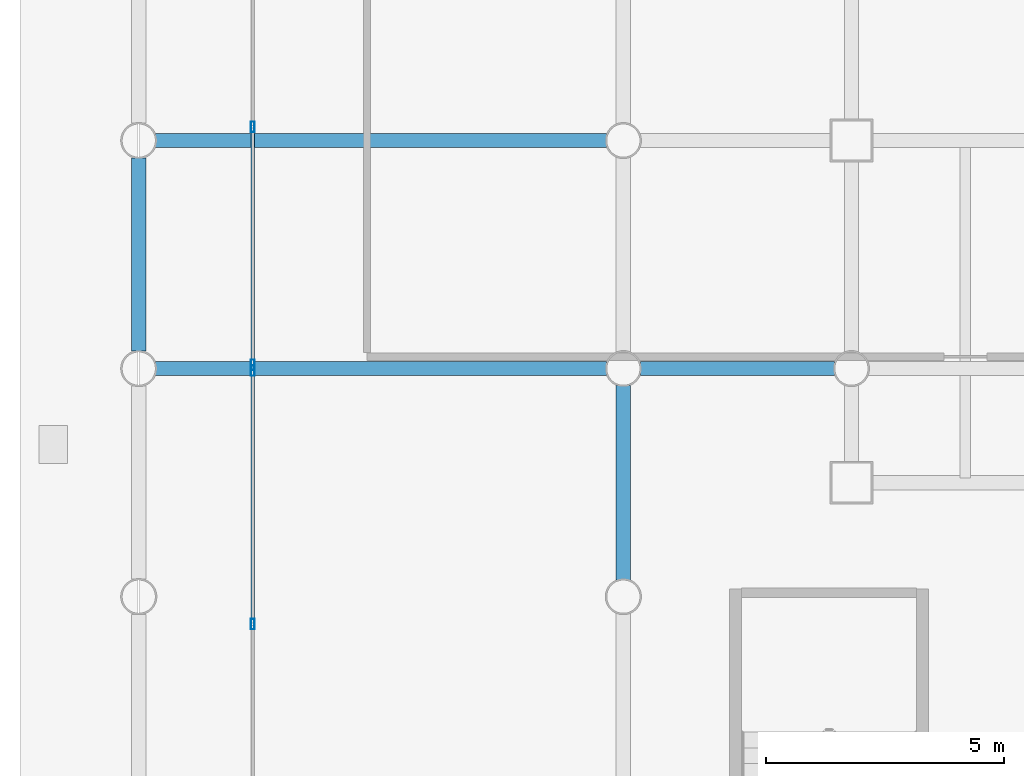
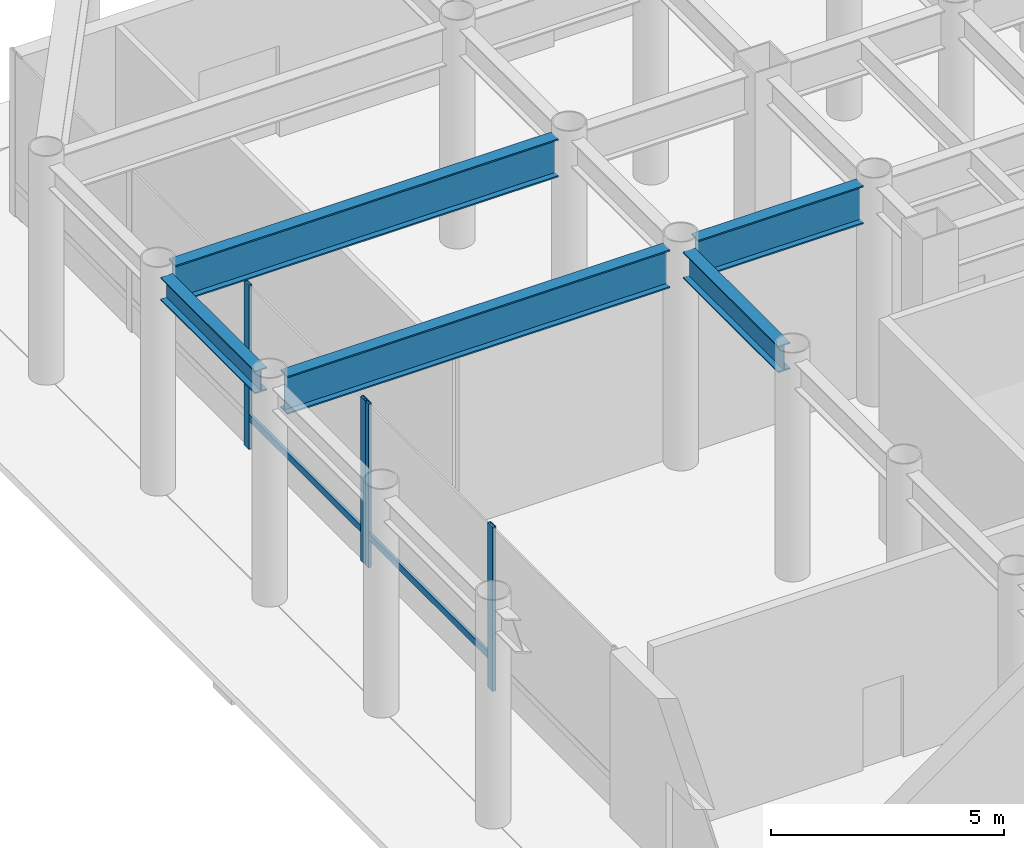
# One storey, part 9 of 23: 6 members, 5 beams, 2 elements without a shape of their own.
"""IFC4 building model written with IfcOpenShell, lengths in metres."""

from ifc_helpers import new_model, si_unit, direction, frame, origin, origin_2d, place, context, subcontext, project, spatial, hollow_rectangle, i_section, extrude, material, layer, layer_set, material_profile, profile_set, type_object, element, aggregate, save


model = new_model("IFC4")

# Units and contexts
model_context = context("Model", 3, precision=1e-05, world=origin(), true_north=direction((0.0, 1.0)))
body_context = subcontext(model_context, "Body", "Model", "MODEL_VIEW")
ifc_project = project(units=[si_unit("LENGTHUNIT", "METRE"), si_unit("AREAUNIT", "SQUARE_METRE"), si_unit("VOLUMEUNIT", "CUBIC_METRE"), si_unit("PLANEANGLEUNIT", "RADIAN"), si_unit("MASSUNIT", "GRAM", prefix="KILO")], contexts=[model_context])

# Site, building, storey
site_placement = place(None, origin())
site = spatial("IfcSite", under=ifc_project, at=site_placement, CompositionType="ELEMENT")
building_placement = place(site_placement, origin())
building = spatial("IfcBuilding", under=site, at=building_placement, Name="Kallvorn Hotel Tower", CompositionType="ELEMENT")
storey_placement = place(building_placement, origin())
storey = spatial("IfcBuildingStorey", under=building, at=storey_placement, Name="L00", CompositionType="ELEMENT", Elevation=0.0)

# Beams
ifc_material_1 = material(Name="Structural steel S355JR", Category="steel")
ifc_material_profile_1 = material_profile(ifc_material_1, i_section(OverallWidth=0.300048828125, OverallDepth=1.0, WebThickness=0.01904296875, FlangeThickness=0.035888671875, at=origin_2d()), Name="HE 1000 B")
ifc_profile_set_1 = profile_set([ifc_material_profile_1], Name="Structural steel S355JR")
beam_type_1 = type_object("IfcBeamType", Name="BM_HE1000B", PredefinedType="BEAM", material=ifc_profile_set_1)
beam_1_placement = place(storey_placement, frame((-38.64404296875, 9.60009765625, 5.25), z_axis=(1.0, 0.0, 0.0), x_axis=(0.0, 1.0, 0.0)))
element("IfcBeam", 1, at=beam_1_placement, inside=storey, type_object=beam_type_1, Name="L01 Primary X-Girder 45", PredefinedType="BEAM", context=body_context, shape_type="SweptSolid", body=[
    extrude(i_section(OverallWidth=0.300048828125, OverallDepth=1.0, WebThickness=0.01904296875, FlangeThickness=0.035888671875, at=origin_2d()), origin(), (0.0, 0.0, 1.0), 9.488037109375),
])
beam_2_placement = place(storey_placement, frame((-28.444091796875, 9.60009765625, 5.25), z_axis=(1.0, 0.0, 0.0), x_axis=(0.0, 1.0, 0.0)))
element("IfcBeam", 2, at=beam_2_placement, inside=storey, type_object=beam_type_1, Name="L01 Primary X-Girder 46", PredefinedType="BEAM", context=body_context, shape_type="SweptSolid", body=[
    extrude(i_section(OverallWidth=0.300048828125, OverallDepth=1.0, WebThickness=0.01904296875, FlangeThickness=0.035888671875, at=origin_2d()), origin(), (0.0, 0.0, 1.0), 4.088134765625),
])
beam_3_placement = place(storey_placement, frame((-38.64404296875, 14.39990234375, 5.25), z_axis=(1.0, 0.0, 0.0), x_axis=(0.0, 1.0, 0.0)))
element("IfcBeam", 3, at=beam_3_placement, inside=storey, type_object=beam_type_1, Name="L01 Primary X-Girder 55", PredefinedType="BEAM", context=body_context, shape_type="SweptSolid", body=[
    extrude(i_section(OverallWidth=0.300048828125, OverallDepth=1.0, WebThickness=0.01904296875, FlangeThickness=0.035888671875, at=origin_2d()), origin(), (0.0, 0.0, 1.0), 9.488037109375),
])
ifc_material_2 = material(Name="Structural steel S355JR", Category="steel")
ifc_material_profile_2 = material_profile(ifc_material_2, i_section(OverallWidth=0.300048828125, OverallDepth=0.60009765625, WebThickness=0.015380859375, FlangeThickness=0.030029296875, at=origin_2d()), Name="HE 600 B")
ifc_profile_set_2 = profile_set([ifc_material_profile_2], Name="Structural steel S355JR")
beam_type_2 = type_object("IfcBeamType", Name="BM_HE600B", PredefinedType="SPANDREL", material=ifc_profile_set_2)
beam_4_placement = place(storey_placement, frame((-39.0, 9.970947265625, 5.449951171875), z_axis=(0.0, 1.0, 0.0), x_axis=(-1.0, 0.0, 0.0)))
element("IfcBeam", 4, at=beam_4_placement, inside=storey, type_object=beam_type_2, Name="L01 Perimeter Spandrel 206", PredefinedType="SPANDREL", context=body_context, shape_type="SweptSolid", body=[
    extrude(i_section(OverallWidth=0.300048828125, OverallDepth=0.60009765625, WebThickness=0.015380859375, FlangeThickness=0.030029296875, at=origin_2d()), origin(), (0.0, 0.0, 1.0), 4.05810546875),
])
ifc_material_3 = material(Name="Structural steel S355JR", Category="steel")
ifc_material_profile_3 = material_profile(ifc_material_3, i_section(OverallWidth=0.300048828125, OverallDepth=0.699951171875, WebThickness=0.01708984375, FlangeThickness=0.031982421875, at=origin_2d()), Name="HE 700 B")
ifc_profile_set_3 = profile_set([ifc_material_profile_3], Name="Structural steel S355JR")
beam_type_3 = type_object("IfcBeamType", Name="BM_HE700B", PredefinedType="BEAM", material=ifc_profile_set_3)
beam_5_placement = place(storey_placement, frame((-28.800048828125, 5.156005859375, 5.39990234375), z_axis=(0.0, 1.0, 0.0), x_axis=(-1.0, 0.0, 0.0)))
element("IfcBeam", 5, at=beam_5_placement, inside=storey, type_object=beam_type_3, Name="L01 Primary Y-Girder 86", PredefinedType="BEAM", context=body_context, shape_type="SweptSolid", body=[
    extrude(i_section(OverallWidth=0.300048828125, OverallDepth=0.699951171875, WebThickness=0.01708984375, FlangeThickness=0.031982421875, at=origin_2d()), origin(), (0.0, 0.0, 1.0), 4.087890625),
])

# Curtain wall, members
ifc_material_4 = material(Name="Thermally broken black-anodised aluminium AA 6063-T6", Category="aluminium")
ifc_layer = layer(ifc_material_4, 0.239990234375)
ifc_layer_set = layer_set([ifc_layer], Name="CW_SYS_1_PODIUM_LOW")
curtain_wall_type = type_object("IfcCurtainWallType", Name="CW_SYS_1_PODIUM_LOW", PredefinedType="USERDEFINED", material=ifc_layer_set)
curtain_wall_1_placement = place(storey_placement, origin())
curtain_wall_1 = element("IfcCurtainWall", 6, at=curtain_wall_1_placement, inside=storey, type_object=curtain_wall_type, Name="L00 Dark-Glass Curtain Wall CW-L00-W1", ObjectType="UNITISED CURTAIN WALL", PredefinedType="USERDEFINED")
ifc_material_5 = material(Name="Thermally broken black-anodised aluminium AA 6063-T6", Category="aluminium")
ifc_material_profile_4 = material_profile(ifc_material_5, hollow_rectangle(XDim=0.080078125, YDim=0.219970703125, WallThickness=0.0048828125, at=origin_2d()), Name="MUL 220x80")
ifc_profile_set_4 = profile_set([ifc_material_profile_4], Name="Thermally broken black-anodised aluminium AA 6063-T6")
member_type_1 = type_object("IfcMemberType", Name="CW_MULLION_220x80", PredefinedType="MULLION", material=ifc_profile_set_4)
member_1_placement = place(storey_placement, frame((-36.60009765625, 4.219970703125, 0.02001953125), z_axis=(0.0, 0.0, 1.0), x_axis=(1.0, 0.0, 0.0)))
member_1 = element("IfcMember", 7, at=member_1_placement, type_object=member_type_1, Name="CW-L00-W1 Mullion 01", PredefinedType="MULLION", context=body_context, shape_type="SweptSolid", body=[
    extrude(hollow_rectangle(XDim=0.080078125, YDim=0.219970703125, WallThickness=0.0048828125, at=origin_2d()), origin(), (0.0, 0.0, 1.0), 4.31005859375),
])
member_2_placement = place(storey_placement, frame((-36.60009765625, 9.56005859375, 0.02001953125), z_axis=(0.0, 0.0, 1.0), x_axis=(1.0, 0.0, 0.0)))
member_2 = element("IfcMember", 8, at=member_2_placement, type_object=member_type_1, Name="CW-L00-W1 Mullion 02", PredefinedType="MULLION", context=body_context, shape_type="SweptSolid", body=[
    extrude(hollow_rectangle(XDim=0.080078125, YDim=0.219970703125, WallThickness=0.0048828125, at=origin_2d()), origin(), (0.0, 0.0, 1.0), 4.31005859375),
])

curtain_wall_2_placement = place(storey_placement, origin())
curtain_wall_2 = element("IfcCurtainWall", 9, at=curtain_wall_2_placement, inside=storey, type_object=curtain_wall_type, Name="L00 Dark-Glass Curtain Wall CW-L00-W2", ObjectType="UNITISED CURTAIN WALL", PredefinedType="USERDEFINED")
member_3_placement = place(storey_placement, frame((-36.60009765625, 9.679931640625, 0.02001953125), z_axis=(0.0, 0.0, 1.0), x_axis=(1.0, 0.0, 0.0)))
member_3 = element("IfcMember", 10, at=member_3_placement, type_object=member_type_1, Name="CW-L00-W2 Mullion 00", PredefinedType="MULLION", context=body_context, shape_type="SweptSolid", body=[
    extrude(hollow_rectangle(XDim=0.080078125, YDim=0.219970703125, WallThickness=0.0048828125, at=origin_2d()), origin(), (0.0, 0.0, 1.0), 4.31005859375),
])
member_4_placement = place(storey_placement, frame((-36.60009765625, 14.68994140625, 0.02001953125), z_axis=(0.0, 0.0, 1.0), x_axis=(1.0, 0.0, 0.0)))
member_4 = element("IfcMember", 11, at=member_4_placement, type_object=member_type_1, Name="CW-L00-W2 Mullion 01", PredefinedType="MULLION", context=body_context, shape_type="SweptSolid", body=[
    extrude(hollow_rectangle(XDim=0.080078125, YDim=0.219970703125, WallThickness=0.0048828125, at=origin_2d()), origin(), (0.0, 0.0, 1.0), 4.31005859375),
])

# Member
ifc_material_6 = material(Name="Thermally broken black-anodised aluminium AA 6063-T6", Category="aluminium")
ifc_material_profile_5 = material_profile(ifc_material_6, hollow_rectangle(XDim=0.070068359375, YDim=0.179931640625, WallThickness=0.00390625, at=origin_2d()), Name="TRN 180x70")
ifc_profile_set_5 = profile_set([ifc_material_profile_5], Name="Thermally broken black-anodised aluminium AA 6063-T6")
member_type_2 = type_object("IfcMemberType", Name="CW_TRANSOM_180x70", PredefinedType="USERDEFINED", material=ifc_profile_set_5)
member_5_placement = place(storey_placement, frame((-36.60009765625, 4.260009765625, 0.85009765625), z_axis=(0.0, 1.0, 0.0), x_axis=(-1.0, 0.0, 0.0)))
member_5 = element("IfcMember", 12, at=member_5_placement, type_object=member_type_2, Name="CW-L00-W1 Transom 01M", ObjectType="TRANSOM", PredefinedType="USERDEFINED", context=body_context, shape_type="SweptSolid", body=[
    extrude(hollow_rectangle(XDim=0.070068359375, YDim=0.179931640625, WallThickness=0.00390625, at=origin_2d()), origin(), (0.0, 0.0, 1.0), 5.300048828125),
])

aggregate(curtain_wall_1, [member_1, member_2, member_5])

member_6_placement = place(storey_placement, frame((-36.60009765625, 9.679931640625, 0.85009765625), z_axis=(0.0, 1.0, 0.0), x_axis=(-1.0, 0.0, 0.0)))
member_6 = element("IfcMember", 13, at=member_6_placement, type_object=member_type_2, Name="CW-L00-W2 Transom 00M", ObjectType="TRANSOM", PredefinedType="USERDEFINED", context=body_context, shape_type="SweptSolid", body=[
    extrude(hollow_rectangle(XDim=0.070068359375, YDim=0.179931640625, WallThickness=0.00390625, at=origin_2d()), origin(), (0.0, 0.0, 1.0), 4.969970703125),
])

aggregate(curtain_wall_2, [member_3, member_4, member_6])

save(model, "model.ifc")
